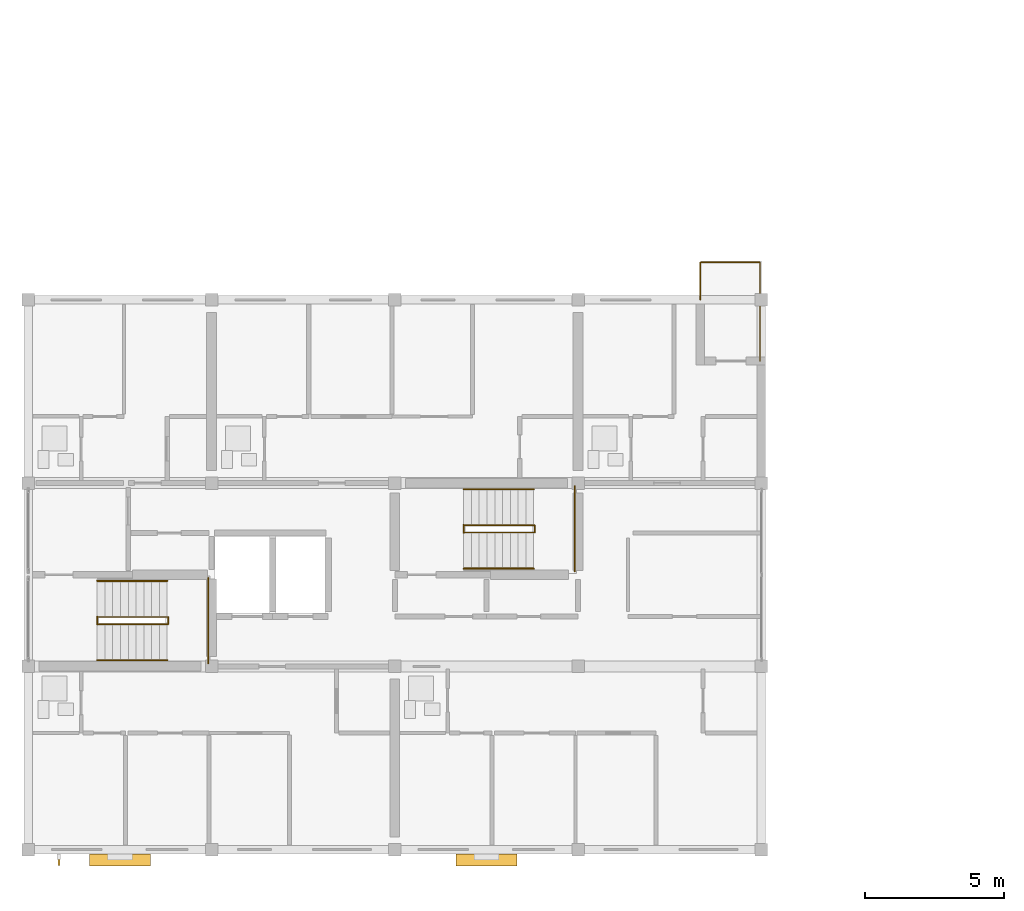
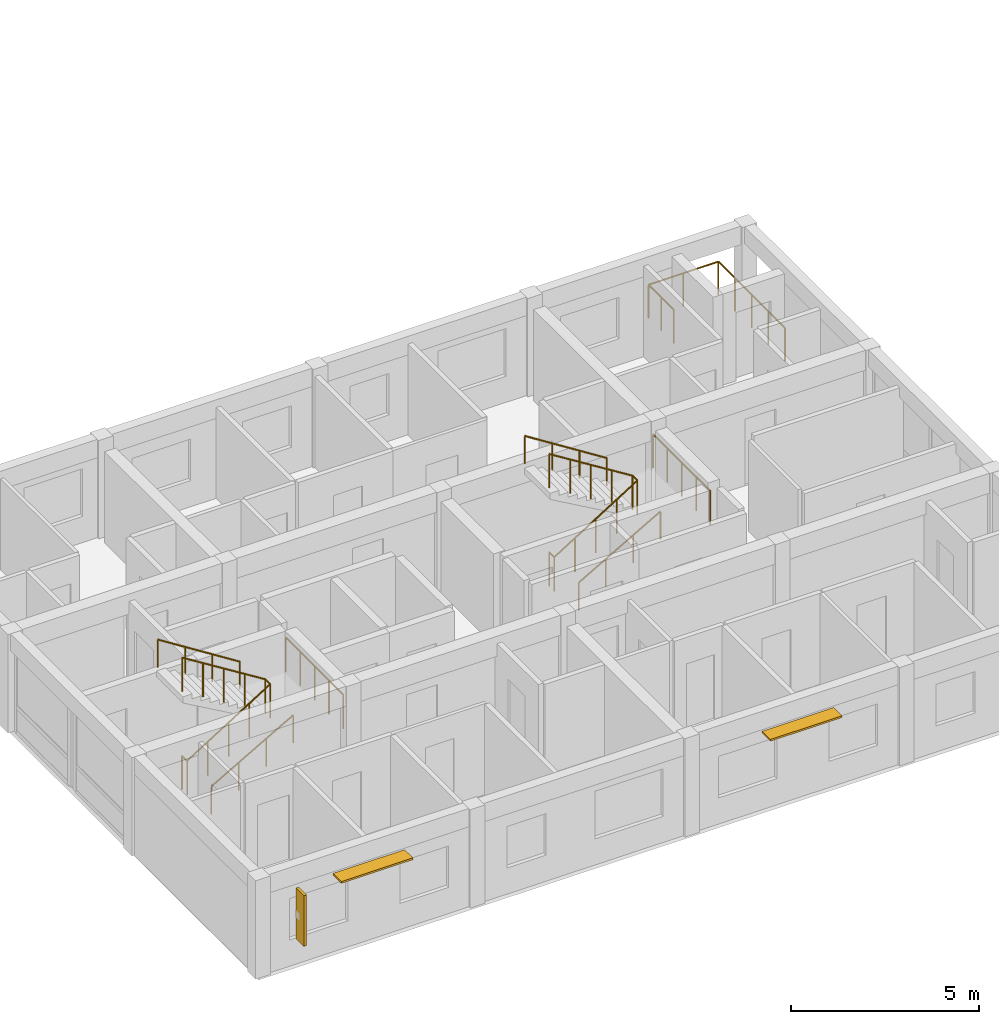
# One storey, part 46 of 52: 11 railings, 3 shading devices.
"""IFC4 building model written with IfcOpenShell, lengths in metres."""

from ifc_helpers import new_model, si_unit, direction, frame, origin, origin_2d, place, context, subcontext, project, spatial, rectangle, circle, extrude, material, layer, layer_set, type_object, element, save


model = new_model("IFC4")

# Units and contexts
model_context = context("Model", 3, precision=1e-05, world=origin(), true_north=direction((0.0, 1.0)))
body_context = subcontext(model_context, "Body", "Model", "MODEL_VIEW")
ifc_project = project(units=[si_unit("LENGTHUNIT", "METRE"), si_unit("AREAUNIT", "SQUARE_METRE"), si_unit("VOLUMEUNIT", "CUBIC_METRE"), si_unit("PLANEANGLEUNIT", "RADIAN"), si_unit("MASSUNIT", "GRAM", prefix="KILO")], contexts=[model_context])

# Site, building, storey
site_placement = place(None, origin())
site = spatial("IfcSite", under=ifc_project, at=site_placement, CompositionType="ELEMENT")
building_placement = place(site_placement, origin())
building = spatial("IfcBuilding", under=site, at=building_placement, Name="Kernevlak Ridge Housing Community", CompositionType="ELEMENT")
storey_placement = place(building_placement, frame((0.0, 0.0, 11.60009765625)))
storey = spatial("IfcBuildingStorey", under=building, at=storey_placement, Name="L03", CompositionType="ELEMENT", Elevation=11.60009765625)

# Railings
ifc_material_1 = material(Name="Steel S355", Category="steel")
railing_type_1 = type_object("IfcRailingType", Name="BL-01", PredefinedType="BALUSTRADE", material=ifc_material_1)
railing_1_placement = place(storey_placement, frame((39.800048828125, 35.39990234375, 0.0)))
element("IfcRailing", 1, at=railing_1_placement, inside=storey, type_object=railing_type_1, Name="Block D L03 balcony balustrade BL-01 49", PredefinedType="BALUSTRADE", context=body_context, shape_type="SweptSolid", body=[
    extrude(circle(Radius=0.02392578125, at=origin_2d()), frame((0.0, 0.0, 1.076171875), z_axis=(0.0, 1.0, 0.0), x_axis=(-1.0, 0.0, 0.0)), (0.0, 0.0, 1.0), 1.35009765625),
    extrude(circle(Radius=0.02392578125, at=origin_2d()), frame((0.0, 1.35009765625, 1.076171875), z_axis=(1.0, 0.0, 0.0), x_axis=(0.0, 1.0, 0.0)), (0.0, 0.0, 1.0), 2.14990234375),
    extrude(circle(Radius=0.02392578125, at=origin_2d()), frame((2.14990234375, 1.35009765625, 1.076171875), z_axis=(0.0, -1.0, 0.0), x_axis=(1.0, 0.0, 0.0)), (0.0, 0.0, 1.0), 3.550048828125),
    extrude(circle(Radius=0.02099609375, at=origin_2d()), origin(), (0.0, 0.0, 1.0), 1.052001953125),
    extrude(circle(Radius=0.02099609375, at=origin_2d()), frame((0.0, 0.675048828125, 0.0)), (0.0, 0.0, 1.0), 1.052001953125),
    extrude(circle(Radius=0.02099609375, at=origin_2d()), frame((0.0, 1.35009765625, 0.0)), (0.0, 0.0, 1.0), 1.052001953125),
    extrude(circle(Radius=0.02099609375, at=origin_2d()), frame((1.074951171875, 1.35009765625, 0.0)), (0.0, 0.0, 1.0), 1.052001953125),
    extrude(circle(Radius=0.02099609375, at=origin_2d()), frame((2.14990234375, 1.35009765625, 0.0)), (0.0, 0.0, 1.0), 1.052001953125),
    extrude(circle(Radius=0.02099609375, at=origin_2d()), frame((2.14990234375, 0.462646484375, 0.0)), (0.0, 0.0, 1.0), 1.052001953125),
    extrude(circle(Radius=0.02099609375, at=origin_2d()), frame((2.14990234375, -0.4248046875, 0.0)), (0.0, 0.0, 1.0), 1.052001953125),
    extrude(circle(Radius=0.02099609375, at=origin_2d()), frame((2.14990234375, -1.3125, 0.0)), (0.0, 0.0, 1.0), 1.052001953125),
    extrude(circle(Radius=0.02099609375, at=origin_2d()), frame((2.14990234375, -2.199951171875, 0.0)), (0.0, 0.0, 1.0), 1.052001953125),
])
railing_type_2 = type_object("IfcRailingType", Name="GR-02", PredefinedType="GUARDRAIL", material=ifc_material_1)
railing_2_placement = place(storey_placement, frame((18.080078125, 23.7099609375, 0.0)))
element("IfcRailing", 2, at=railing_2_placement, inside=storey, type_object=railing_type_2, Name="Stair ST-D1 L03 well slot guard", PredefinedType="GUARDRAIL", context=body_context, shape_type="SweptSolid", body=[
    extrude(circle(Radius=0.02392578125, at=origin_2d()), frame((0.0, 0.0, 1.09619140625), z_axis=(0.0, 1.0, 0.0), x_axis=(-1.0, 0.0, 0.0)), (0.0, 0.0, 1.0), 0.280029296875),
    extrude(circle(Radius=0.02099609375, at=origin_2d()), origin(), (0.0, 0.0, 1.0), 1.072021484375),
    extrude(circle(Radius=0.02099609375, at=origin_2d()), frame((0.0, 0.280029296875, 0.0)), (0.0, 0.0, 1.0), 1.072021484375),
])
railing_3_placement = place(storey_placement, frame((18.080078125, 23.719970703125, 0.0)))
element("IfcRailing", 3, at=railing_3_placement, inside=storey, type_object=railing_type_2, Name="Stair ST-D1 L03 inner well guardrail", PredefinedType="GUARDRAIL", context=body_context, shape_type="SweptSolid", body=[
    extrude(circle(Radius=0.02392578125, at=origin_2d()), frame((0.0, 0.0, 1.09619140625), z_axis=(0.848002847666, 0.0, 0.529991670077), x_axis=(0.0, 1.0, 0.0)), (0.0, 0.0, 1.0), 3.0185546875),
    extrude(circle(Radius=0.02392578125, at=origin_2d()), frame((2.559814453125, 0.0, 2.69580078125), z_axis=(0.0, 1.0, 0.0), x_axis=(-1.0, 0.0, 0.0)), (0.0, 0.0, 1.0), 0.260009765625),
    extrude(circle(Radius=0.02392578125, at=origin_2d()), frame((2.559814453125, 0.260009765625, 2.69580078125), z_axis=(-0.847966497998, 0.0, 0.530049826217), x_axis=(0.0, -1.0, 0.0)), (0.0, 0.0, 1.0), 3.018798828125),
    extrude(circle(Radius=0.02099609375, at=origin_2d()), origin(), (0.0, 0.0, 1.0), 1.072021484375),
    extrude(circle(Radius=0.02099609375, at=origin_2d()), frame((0.639892578125, 0.0, 0.39990234375)), (0.0, 0.0, 1.0), 1.072021484375),
    extrude(circle(Radius=0.02099609375, at=origin_2d()), frame((1.27978515625, 0.0, 0.7998046875)), (0.0, 0.0, 1.0), 1.072021484375),
    extrude(circle(Radius=0.02099609375, at=origin_2d()), frame((1.919921875, 0.0, 1.199951171875)), (0.0, 0.0, 1.0), 1.072021484375),
    extrude(circle(Radius=0.02099609375, at=origin_2d()), frame((2.559814453125, 0.0, 1.599853515625)), (0.0, 0.0, 1.0), 1.072021484375),
    extrude(circle(Radius=0.02099609375, at=origin_2d()), frame((2.559814453125, 0.260009765625, 1.599853515625)), (0.0, 0.0, 1.0), 1.072021484375),
    extrude(circle(Radius=0.02099609375, at=origin_2d()), frame((1.919921875, 0.260009765625, 2.0)), (0.0, 0.0, 1.0), 1.072021484375),
    extrude(circle(Radius=0.02099609375, at=origin_2d()), frame((1.27978515625, 0.260009765625, 2.39990234375)), (0.0, 0.0, 1.0), 1.072021484375),
    extrude(circle(Radius=0.02099609375, at=origin_2d()), frame((0.639892578125, 0.260009765625, 2.7998046875)), (0.0, 0.0, 1.0), 1.072021484375),
    extrude(circle(Radius=0.02099609375, at=origin_2d()), frame((0.0, 0.260009765625, 3.199951171875)), (0.0, 0.0, 1.0), 1.072021484375),
])
railing_4_placement = place(storey_placement, frame((22.080078125, 22.320068359375, 1.599853515625)))
element("IfcRailing", 4, at=railing_4_placement, inside=storey, type_object=railing_type_2, Name="Stair ST-D1 L03 half-landing guard", PredefinedType="GUARDRAIL", context=body_context, shape_type="SweptSolid", body=[
    extrude(circle(Radius=0.02392578125, at=origin_2d()), frame((0.0, 0.0, 1.09619140625), z_axis=(0.0, 1.0, 0.0), x_axis=(-1.0, 0.0, 0.0)), (0.0, 0.0, 1.0), 3.059814453125),
    extrude(circle(Radius=0.02099609375, at=origin_2d()), origin(), (0.0, 0.0, 1.0), 1.072021484375),
    extrude(circle(Radius=0.02099609375, at=origin_2d()), frame((0.0, 0.764892578125, 0.0)), (0.0, 0.0, 1.0), 1.072021484375),
    extrude(circle(Radius=0.02099609375, at=origin_2d()), frame((0.0, 1.52978515625, 0.0)), (0.0, 0.0, 1.0), 1.072021484375),
    extrude(circle(Radius=0.02099609375, at=origin_2d()), frame((0.0, 2.294921875, 0.0)), (0.0, 0.0, 1.0), 1.072021484375),
    extrude(circle(Radius=0.02099609375, at=origin_2d()), frame((0.0, 3.059814453125, 0.0)), (0.0, 0.0, 1.0), 1.072021484375),
])
railing_5_placement = place(storey_placement, frame((31.280029296875, 27.010009765625, 0.0)))
element("IfcRailing", 5, at=railing_5_placement, inside=storey, type_object=railing_type_2, Name="Stair ST-D2 L03 well slot guard", PredefinedType="GUARDRAIL", context=body_context, shape_type="SweptSolid", body=[
    extrude(circle(Radius=0.02392578125, at=origin_2d()), frame((0.0, 0.0, 1.09619140625), z_axis=(0.0, 1.0, 0.0), x_axis=(-1.0, 0.0, 0.0)), (0.0, 0.0, 1.0), 0.280029296875),
    extrude(circle(Radius=0.02099609375, at=origin_2d()), origin(), (0.0, 0.0, 1.0), 1.072021484375),
    extrude(circle(Radius=0.02099609375, at=origin_2d()), frame((0.0, 0.280029296875, 0.0)), (0.0, 0.0, 1.0), 1.072021484375),
])
railing_6_placement = place(storey_placement, frame((31.280029296875, 27.02001953125, 0.0)))
element("IfcRailing", 6, at=railing_6_placement, inside=storey, type_object=railing_type_2, Name="Stair ST-D2 L03 inner well guardrail", PredefinedType="GUARDRAIL", context=body_context, shape_type="SweptSolid", body=[
    extrude(circle(Radius=0.02392578125, at=origin_2d()), frame((0.0, 0.0, 1.09619140625), z_axis=(0.848025563165, 0.0, 0.529955322851), x_axis=(0.0, 1.0, 0.0)), (0.0, 0.0, 1.0), 3.018798828125),
    extrude(circle(Radius=0.02392578125, at=origin_2d()), frame((2.56005859375, 0.0, 2.69580078125), z_axis=(0.0, 1.0, 0.0), x_axis=(-1.0, 0.0, 0.0)), (0.0, 0.0, 1.0), 0.260009765625),
    extrude(circle(Radius=0.02392578125, at=origin_2d()), frame((2.56005859375, 0.260009765625, 2.69580078125), z_axis=(-0.847989217509, 0.0, 0.530013478119), x_axis=(0.0, -1.0, 0.0)), (0.0, 0.0, 1.0), 3.01904296875),
    extrude(circle(Radius=0.02099609375, at=origin_2d()), origin(), (0.0, 0.0, 1.0), 1.072021484375),
    extrude(circle(Radius=0.02099609375, at=origin_2d()), frame((0.64013671875, 0.0, 0.39990234375)), (0.0, 0.0, 1.0), 1.072021484375),
    extrude(circle(Radius=0.02099609375, at=origin_2d()), frame((1.280029296875, 0.0, 0.7998046875)), (0.0, 0.0, 1.0), 1.072021484375),
    extrude(circle(Radius=0.02099609375, at=origin_2d()), frame((1.919921875, 0.0, 1.199951171875)), (0.0, 0.0, 1.0), 1.072021484375),
    extrude(circle(Radius=0.02099609375, at=origin_2d()), frame((2.56005859375, 0.0, 1.599853515625)), (0.0, 0.0, 1.0), 1.072021484375),
    extrude(circle(Radius=0.02099609375, at=origin_2d()), frame((2.56005859375, 0.260009765625, 1.599853515625)), (0.0, 0.0, 1.0), 1.072021484375),
    extrude(circle(Radius=0.02099609375, at=origin_2d()), frame((1.919921875, 0.260009765625, 2.0)), (0.0, 0.0, 1.0), 1.072021484375),
    extrude(circle(Radius=0.02099609375, at=origin_2d()), frame((1.280029296875, 0.260009765625, 2.39990234375)), (0.0, 0.0, 1.0), 1.072021484375),
    extrude(circle(Radius=0.02099609375, at=origin_2d()), frame((0.64013671875, 0.260009765625, 2.7998046875)), (0.0, 0.0, 1.0), 1.072021484375),
    extrude(circle(Radius=0.02099609375, at=origin_2d()), frame((0.0, 0.260009765625, 3.199951171875)), (0.0, 0.0, 1.0), 1.072021484375),
])
railing_7_placement = place(storey_placement, frame((35.280029296875, 25.6201171875, 1.599853515625)))
element("IfcRailing", 7, at=railing_7_placement, inside=storey, type_object=railing_type_2, Name="Stair ST-D2 L03 half-landing guard", PredefinedType="GUARDRAIL", context=body_context, shape_type="SweptSolid", body=[
    extrude(circle(Radius=0.02392578125, at=origin_2d()), frame((0.0, 0.0, 1.09619140625), z_axis=(0.0, 1.0, 0.0), x_axis=(-1.0, 0.0, 0.0)), (0.0, 0.0, 1.0), 3.059814453125),
    extrude(circle(Radius=0.02099609375, at=origin_2d()), origin(), (0.0, 0.0, 1.0), 1.072021484375),
    extrude(circle(Radius=0.02099609375, at=origin_2d()), frame((0.0, 0.764892578125, 0.0)), (0.0, 0.0, 1.0), 1.072021484375),
    extrude(circle(Radius=0.02099609375, at=origin_2d()), frame((0.0, 1.52978515625, 0.0)), (0.0, 0.0, 1.0), 1.072021484375),
    extrude(circle(Radius=0.02099609375, at=origin_2d()), frame((0.0, 2.294921875, 0.0)), (0.0, 0.0, 1.0), 1.072021484375),
    extrude(circle(Radius=0.02099609375, at=origin_2d()), frame((0.0, 3.059814453125, 0.0)), (0.0, 0.0, 1.0), 1.072021484375),
])
ifc_material_2 = material(Name="Stainless steel EN 1.4401", Category="steel")
railing_type_3 = type_object("IfcRailingType", Name="HR-01", PredefinedType="HANDRAIL", material=ifc_material_2)
railing_8_placement = place(storey_placement, frame((18.080078125, 22.419921875, 0.159912109375)))
element("IfcRailing", 8, at=railing_8_placement, inside=storey, type_object=railing_type_3, Name="Stair ST-D1 L03 flight 1 handrail", PredefinedType="HANDRAIL", context=body_context, shape_type="SweptSolid", body=[
    extrude(circle(Radius=0.02392578125, at=origin_2d()), frame((0.0, 0.0, 0.89599609375), z_axis=(0.868253494771, 0.0, 0.496120820787), x_axis=(0.0, 1.0, 0.0)), (0.0, 0.0, 1.0), 2.90234375),
    extrude(circle(Radius=0.02099609375, at=origin_2d()), origin(), (0.0, 0.0, 1.0), 0.871826171875),
    extrude(circle(Radius=0.02099609375, at=origin_2d()), frame((0.840087890625, 0.0, 0.47998046875)), (0.0, 0.0, 1.0), 0.871826171875),
    extrude(circle(Radius=0.02099609375, at=origin_2d()), frame((1.679931640625, 0.0, 0.9599609375)), (0.0, 0.0, 1.0), 0.871826171875),
    extrude(circle(Radius=0.02099609375, at=origin_2d()), frame((2.52001953125, 0.0, 1.43994140625)), (0.0, 0.0, 1.0), 0.871826171875),
])
railing_9_placement = place(storey_placement, frame((20.60009765625, 25.280029296875, 1.599853515625)))
element("IfcRailing", 9, at=railing_9_placement, inside=storey, type_object=railing_type_3, Name="Stair ST-D1 L03 flight 2 handrail", PredefinedType="HANDRAIL", context=body_context, shape_type="SweptSolid", body=[
    extrude(circle(Radius=0.02392578125, at=origin_2d()), frame((0.0, 0.0, 0.89599609375), z_axis=(-0.844199891302, 0.0, 0.536028491338), x_axis=(0.0, -1.0, 0.0)), (0.0, 0.0, 1.0), 2.985107421875),
    extrude(circle(Radius=0.02099609375, at=origin_2d()), origin(), (0.0, 0.0, 1.0), 0.871826171875),
    extrude(circle(Radius=0.02099609375, at=origin_2d()), frame((-0.840087890625, 0.0, 0.533447265625)), (0.0, 0.0, 1.0), 0.871826171875),
    extrude(circle(Radius=0.02099609375, at=origin_2d()), frame((-1.679931640625, 0.0, 1.066650390625)), (0.0, 0.0, 1.0), 0.871826171875),
    extrude(circle(Radius=0.02099609375, at=origin_2d()), frame((-2.52001953125, 0.0, 1.60009765625)), (0.0, 0.0, 1.0), 0.871826171875),
])
railing_10_placement = place(storey_placement, frame((31.280029296875, 25.719970703125, 0.159912109375)))
element("IfcRailing", 10, at=railing_10_placement, inside=storey, type_object=railing_type_3, Name="Stair ST-D2 L03 flight 1 handrail", PredefinedType="HANDRAIL", context=body_context, shape_type="SweptSolid", body=[
    extrude(circle(Radius=0.02392578125, at=origin_2d()), frame((0.0, 0.0, 0.89599609375), z_axis=(0.868253494771, 0.0, 0.496120820787), x_axis=(0.0, 1.0, 0.0)), (0.0, 0.0, 1.0), 2.90234375),
    extrude(circle(Radius=0.02099609375, at=origin_2d()), origin(), (0.0, 0.0, 1.0), 0.871826171875),
    extrude(circle(Radius=0.02099609375, at=origin_2d()), frame((0.840087890625, 0.0, 0.47998046875)), (0.0, 0.0, 1.0), 0.871826171875),
    extrude(circle(Radius=0.02099609375, at=origin_2d()), frame((1.679931640625, 0.0, 0.9599609375)), (0.0, 0.0, 1.0), 0.871826171875),
    extrude(circle(Radius=0.02099609375, at=origin_2d()), frame((2.52001953125, 0.0, 1.43994140625)), (0.0, 0.0, 1.0), 0.871826171875),
])
railing_11_placement = place(storey_placement, frame((33.800048828125, 28.580078125, 1.599853515625)))
element("IfcRailing", 11, at=railing_11_placement, inside=storey, type_object=railing_type_3, Name="Stair ST-D2 L03 flight 2 handrail", PredefinedType="HANDRAIL", context=body_context, shape_type="SweptSolid", body=[
    extrude(circle(Radius=0.02392578125, at=origin_2d()), frame((0.0, 0.0, 0.89599609375), z_axis=(-0.844199891302, 0.0, 0.536028491338), x_axis=(0.0, -1.0, 0.0)), (0.0, 0.0, 1.0), 2.985107421875),
    extrude(circle(Radius=0.02099609375, at=origin_2d()), origin(), (0.0, 0.0, 1.0), 0.871826171875),
    extrude(circle(Radius=0.02099609375, at=origin_2d()), frame((-0.840087890625, 0.0, 0.533447265625)), (0.0, 0.0, 1.0), 0.871826171875),
    extrude(circle(Radius=0.02099609375, at=origin_2d()), frame((-1.679931640625, 0.0, 1.066650390625)), (0.0, 0.0, 1.0), 0.871826171875),
    extrude(circle(Radius=0.02099609375, at=origin_2d()), frame((-2.52001953125, 0.0, 1.60009765625)), (0.0, 0.0, 1.0), 0.871826171875),
])

# Shading devices
ifc_material_3 = material(Name="Aluminium EN AW-6060 anodised", Category="aluminium")
ifc_layer = layer(ifc_material_3, 0.06005859375, Name="Aluminium EN AW-6060 anodised")
ifc_layer_set = layer_set([ifc_layer], Name="Aluminium EN AW-6060 anodised")
shading_device_type_1 = type_object("IfcShadingDeviceType", Name="LV-01", PredefinedType="JALOUSIE", material=ifc_layer_set)
for number, where, z_axis, x_axis, name in (
    (12, (18.89990234375, 15.22998046875, 2.489990234375), (0.0, 0.0, 1.0), (1.0, 0.0, 0.0), "Horizontal solar louvre 39"),
    (13, (32.10009765625, 15.22998046875, 2.489990234375), (0.0, 0.0, 1.0), (1.0, 0.0, 0.0), "Horizontal solar louvre 40"),
):
    element("IfcShadingDevice", number, at=place(storey_placement, frame(where, z_axis=z_axis, x_axis=x_axis)), inside=storey, type_object=shading_device_type_1, Name=name, PredefinedType="JALOUSIE", context=body_context, shape_type="SweptSolid", body=[
        extrude(rectangle(XDim=2.199951171875, YDim=0.43994140625, at=origin_2d()), origin(), (0.0, 0.0, 1.0), 0.06005859375),
    ])
ifc_material_4 = material(Name="Aluminium EN AW-6060 enamelled", Category="aluminium")
shading_device_type_2 = type_object("IfcShadingDeviceType", Name="LV-02", PredefinedType="USERDEFINED", material=ifc_material_4)
shading_device_placement = place(storey_placement, frame((16.699951171875, 15.239990234375, 0.824951171875), z_axis=(0.0, 0.0, 1.0), x_axis=(1.0, 0.0, 0.0)))
element("IfcShadingDevice", 14, at=shading_device_placement, inside=storey, type_object=shading_device_type_2, Name="De Stijl yellow vertical solar fin 39", ObjectType="LOUVRE", PredefinedType="USERDEFINED", context=body_context, shape_type="SweptSolid", body=[
    extrude(rectangle(XDim=0.080078125, YDim=0.419921875, at=origin_2d()), origin(), (0.0, 0.0, 1.0), 1.64990234375),
])

save(model, "model.ifc")
